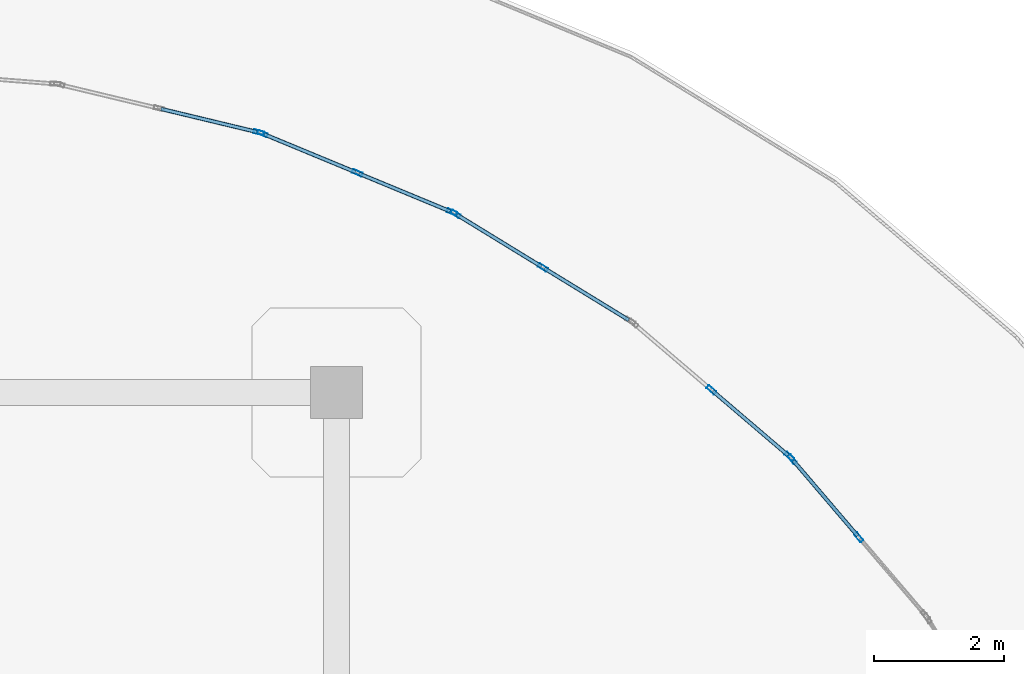
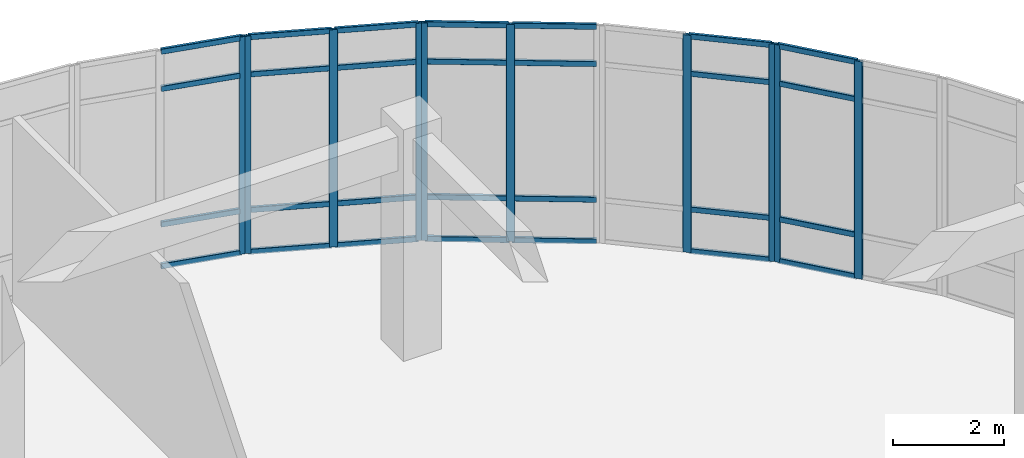
# One storey, part 89 of 124: 38 members, 5 elements without a shape of their own.
"""IFC4 building model written with IfcOpenShell, lengths in metres."""

from ifc_helpers import new_model, si_unit, derived_unit, direction, frame, origin, origin_2d, place, context, subcontext, project, spatial, hollow_rectangle, extrude, material, layer, layer_set, material_profile, profile_set, type_object, element, aggregate, save


model = new_model("IFC4")

# Units and contexts
model_context = context("Model", 3, precision=1e-05, world=origin(), true_north=direction((0.0, 1.0)))
body_context = subcontext(model_context, "Body", "Model", "MODEL_VIEW")
ifc_project = project(units=[si_unit("LENGTHUNIT", "METRE"), si_unit("AREAUNIT", "SQUARE_METRE"), si_unit("VOLUMEUNIT", "CUBIC_METRE"), si_unit("PLANEANGLEUNIT", "RADIAN"), si_unit("MASSUNIT", "GRAM", prefix="KILO"), derived_unit("THERMALTRANSMITTANCEUNIT", [(si_unit("MASSUNIT", "GRAM", prefix="KILO"), 1), (si_unit("TIMEUNIT", "SECOND"), -3), (si_unit("THERMODYNAMICTEMPERATUREUNIT", "KELVIN"), -1)])], contexts=[model_context])

# Site, building, storey
site_placement = place(None, origin())
site = spatial("IfcSite", under=ifc_project, at=site_placement, CompositionType="ELEMENT")
building_placement = place(site_placement, origin())
building = spatial("IfcBuilding", under=site, at=building_placement, Name="Qinzheling Arcade Emporium", CompositionType="ELEMENT")
storey_placement = place(building_placement, frame((0.0, 0.0, 16.5)))
storey = spatial("IfcBuildingStorey", under=building, at=storey_placement, Name="L04", CompositionType="ELEMENT", Elevation=16.5)

# Curtain wall, member
ifc_material_1 = material(Name="Anodised aluminium and solar-control double glazing", Category="aluminium")
ifc_layer = layer(ifc_material_1, 0.159912109375, Name="Anodised aluminium and solar-control double glazing", Category="aluminium")
ifc_layer_set = layer_set([ifc_layer], Name="Anodised aluminium and solar-control double glazing")
curtain_wall_type = type_object("IfcCurtainWallType", Name="Curved Ribbon Sales Curtain Wall", PredefinedType="NOTDEFINED", material=ifc_layer_set)
curtain_wall_1_placement = place(storey_placement, origin())
curtain_wall_1 = element("IfcCurtainWall", 1, at=curtain_wall_1_placement, inside=storey, type_object=curtain_wall_type, Name="Curtain Wall CW-L04-265", PredefinedType="NOTDEFINED")
ifc_material_2 = material(Name="Anodised aluminium 6063-T6", Category="aluminium")
ifc_material_profile_1 = material_profile(ifc_material_2, hollow_rectangle(XDim=0.06005859375, YDim=0.159912109375, WallThickness=0.00390625, InnerFilletRadius=0.00390625, OuterFilletRadius=0.008056640625, at=origin_2d()), Name="RHS 160x60x4", Category="aluminium")
ifc_profile_set_1 = profile_set([ifc_material_profile_1], Name="Anodised aluminium 6063-T6")
member_type_1 = type_object("IfcMemberType", Name="Curtain Wall Mullion RHS160x60", PredefinedType="MULLION", material=ifc_profile_set_1)
member_1_placement = place(storey_placement, frame((129.305908203125, 110.803955078125, 0.0), z_axis=(0.0, 0.0, 1.0), x_axis=(0.233455251725, 0.972367546477, 0.0)))
member_1 = element("IfcMember", 2, at=member_1_placement, type_object=member_type_1, Name="CW02 mullion 3", PredefinedType="MULLION", context=body_context, shape_type="SweptSolid", body=[
    extrude(hollow_rectangle(XDim=0.06005859375, YDim=0.159912109375, WallThickness=0.00390625, InnerFilletRadius=0.00390625, OuterFilletRadius=0.008056640625, at=origin_2d()), origin(), (0.0, 0.0, 1.0), 4.7900390625),
])

# Curtain wall, members
curtain_wall_2_placement = place(storey_placement, origin())
curtain_wall_2 = element("IfcCurtainWall", 3, at=curtain_wall_2_placement, inside=storey, type_object=curtain_wall_type, Name="Curtain Wall CW-L04-266", PredefinedType="NOTDEFINED")
member_2_placement = place(storey_placement, frame((129.36279296875, 110.785400390625, 0.0), z_axis=(0.0, 0.0, 1.0), x_axis=(0.38267210045, 0.923884226263, 0.0)))
member_2 = element("IfcMember", 4, at=member_2_placement, type_object=member_type_1, Name="CW02 mullion 1", PredefinedType="MULLION", context=body_context, shape_type="SweptSolid", body=[
    extrude(hollow_rectangle(XDim=0.06005859375, YDim=0.159912109375, WallThickness=0.00390625, InnerFilletRadius=0.00390625, OuterFilletRadius=0.008056640625, at=origin_2d()), origin(), (0.0, 0.0, 1.0), 4.7900390625),
])
member_3_placement = place(storey_placement, frame((130.821044921875, 110.181396484375, 0.0), z_axis=(0.0, 0.0, 1.0), x_axis=(0.38267210045, 0.923884226263, 0.0)))
member_3 = element("IfcMember", 5, at=member_3_placement, type_object=member_type_1, Name="CW02 mullion 2", PredefinedType="MULLION", context=body_context, shape_type="SweptSolid", body=[
    extrude(hollow_rectangle(XDim=0.06005859375, YDim=0.159912109375, WallThickness=0.00390625, InnerFilletRadius=0.00390625, OuterFilletRadius=0.008056640625, at=origin_2d()), origin(), (0.0, 0.0, 1.0), 4.7900390625),
])
member_4_placement = place(storey_placement, frame((132.279296875, 109.577392578125, 0.0), z_axis=(0.0, 0.0, 1.0), x_axis=(0.38267210045, 0.923884226263, 0.0)))
member_4 = element("IfcMember", 6, at=member_4_placement, type_object=member_type_1, Name="CW02 mullion 3", PredefinedType="MULLION", context=body_context, shape_type="SweptSolid", body=[
    extrude(hollow_rectangle(XDim=0.06005859375, YDim=0.159912109375, WallThickness=0.00390625, InnerFilletRadius=0.00390625, OuterFilletRadius=0.008056640625, at=origin_2d()), origin(), (0.0, 0.0, 1.0), 4.7900390625),
])

curtain_wall_3_placement = place(storey_placement, origin())
curtain_wall_3 = element("IfcCurtainWall", 7, at=curtain_wall_3_placement, inside=storey, type_object=curtain_wall_type, Name="Curtain Wall CW-L04-267", PredefinedType="NOTDEFINED")
member_5_placement = place(storey_placement, frame((132.33251953125, 109.55029296875, 0.0), z_axis=(0.0, 0.0, 1.0), x_axis=(0.522518323638, 0.852628055756, 0.0)))
member_5 = element("IfcMember", 8, at=member_5_placement, type_object=member_type_1, Name="CW02 mullion 1", PredefinedType="MULLION", context=body_context, shape_type="SweptSolid", body=[
    extrude(hollow_rectangle(XDim=0.06005859375, YDim=0.159912109375, WallThickness=0.00390625, InnerFilletRadius=0.00390625, OuterFilletRadius=0.008056640625, at=origin_2d()), origin(), (0.0, 0.0, 1.0), 4.7900390625),
])
member_6_placement = place(storey_placement, frame((133.678466796875, 108.7255859375, 0.0), z_axis=(0.0, 0.0, 1.0), x_axis=(0.522518323638, 0.852628055756, 0.0)))
member_6 = element("IfcMember", 9, at=member_6_placement, type_object=member_type_1, Name="CW02 mullion 2", PredefinedType="MULLION", context=body_context, shape_type="SweptSolid", body=[
    extrude(hollow_rectangle(XDim=0.06005859375, YDim=0.159912109375, WallThickness=0.00390625, InnerFilletRadius=0.00390625, OuterFilletRadius=0.008056640625, at=origin_2d()), origin(), (0.0, 0.0, 1.0), 4.7900390625),
])

curtain_wall_4_placement = place(storey_placement, origin())
curtain_wall_4 = element("IfcCurtainWall", 10, at=curtain_wall_4_placement, inside=storey, type_object=curtain_wall_type, Name="Curtain Wall CW-L04-268", PredefinedType="NOTDEFINED")
member_7_placement = place(storey_placement, frame((136.27294921875, 106.840576171875, 0.0), z_axis=(0.0, 0.0, 1.0), x_axis=(0.64943342373, 0.760418455945, 0.0)))
member_7 = element("IfcMember", 11, at=member_7_placement, type_object=member_type_1, Name="CW02 mullion 2", PredefinedType="MULLION", context=body_context, shape_type="SweptSolid", body=[
    extrude(hollow_rectangle(XDim=0.06005859375, YDim=0.159912109375, WallThickness=0.00390625, InnerFilletRadius=0.00390625, OuterFilletRadius=0.008056640625, at=origin_2d()), origin(), (0.0, 0.0, 1.0), 4.7900390625),
])
member_8_placement = place(storey_placement, frame((137.47314453125, 105.8154296875, 0.0), z_axis=(0.0, 0.0, 1.0), x_axis=(0.64943342373, 0.760418455945, 0.0)))
member_8 = element("IfcMember", 12, at=member_8_placement, type_object=member_type_1, Name="CW02 mullion 3", PredefinedType="MULLION", context=body_context, shape_type="SweptSolid", body=[
    extrude(hollow_rectangle(XDim=0.06005859375, YDim=0.159912109375, WallThickness=0.00390625, InnerFilletRadius=0.00390625, OuterFilletRadius=0.008056640625, at=origin_2d()), origin(), (0.0, 0.0, 1.0), 4.7900390625),
])

curtain_wall_5_placement = place(storey_placement, origin())
curtain_wall_5 = element("IfcCurtainWall", 13, at=curtain_wall_5_placement, inside=storey, type_object=curtain_wall_type, Name="Curtain Wall CW-L04-269", PredefinedType="NOTDEFINED")
member_9_placement = place(storey_placement, frame((137.515380859375, 105.773193359375, 0.0), z_axis=(0.0, 0.0, 1.0), x_axis=(0.760418455945, 0.64943342373, 0.0)))
member_9 = element("IfcMember", 14, at=member_9_placement, type_object=member_type_1, Name="CW02 mullion 1", PredefinedType="MULLION", context=body_context, shape_type="SweptSolid", body=[
    extrude(hollow_rectangle(XDim=0.06005859375, YDim=0.159912109375, WallThickness=0.00390625, InnerFilletRadius=0.00390625, OuterFilletRadius=0.008056640625, at=origin_2d()), origin(), (0.0, 0.0, 1.0), 4.7900390625),
])
member_10_placement = place(storey_placement, frame((138.54052734375, 104.572998046875, 0.0), z_axis=(0.0, 0.0, 1.0), x_axis=(0.760418455945, 0.64943342373, 0.0)))
member_10 = element("IfcMember", 15, at=member_10_placement, type_object=member_type_1, Name="CW02 mullion 2", PredefinedType="MULLION", context=body_context, shape_type="SweptSolid", body=[
    extrude(hollow_rectangle(XDim=0.06005859375, YDim=0.159912109375, WallThickness=0.00390625, InnerFilletRadius=0.00390625, OuterFilletRadius=0.008056640625, at=origin_2d()), origin(), (0.0, 0.0, 1.0), 4.7900390625),
])

# Member
ifc_material_profile_2 = material_profile(ifc_material_2, hollow_rectangle(XDim=0.06005859375, YDim=0.1201171875, WallThickness=0.00390625, InnerFilletRadius=0.00390625, OuterFilletRadius=0.008056640625, at=origin_2d()), Name="RHS 120x60x4", Category="aluminium")
ifc_profile_set_2 = profile_set([ifc_material_profile_2], Name="Anodised aluminium 6063-T6")
member_type_2 = type_object("IfcMemberType", Name="Curtain Wall Transom RHS120x60", PredefinedType="USERDEFINED", material=ifc_profile_set_2)
member_11_placement = place(storey_placement, frame((127.80029296875, 111.16552734375, 0.030029296875), z_axis=(0.972361022806, -0.233482421881, 0.0), x_axis=(0.233482421881, 0.972361022806, 0.0)))
member_11 = element("IfcMember", 16, at=member_11_placement, type_object=member_type_2, Name="CW02 transom 2.1", ObjectType="TRANSOM", PredefinedType="USERDEFINED", context=body_context, shape_type="SweptSolid", body=[
    extrude(hollow_rectangle(XDim=0.06005859375, YDim=0.1201171875, WallThickness=0.00390625, InnerFilletRadius=0.00390625, OuterFilletRadius=0.008056640625, at=origin_2d()), origin(), (0.0, 0.0, 1.0), 1.518310546875),
])

member_12_placement = place(storey_placement, frame((127.80029296875, 111.16552734375, 0.949951171875), z_axis=(0.972361022806, -0.233482421881, 0.0), x_axis=(0.233482421881, 0.972361022806, 0.0)))
member_12 = element("IfcMember", 17, at=member_12_placement, type_object=member_type_2, Name="CW02 transom 2.2", ObjectType="TRANSOM", PredefinedType="USERDEFINED", context=body_context, shape_type="SweptSolid", body=[
    extrude(hollow_rectangle(XDim=0.06005859375, YDim=0.1201171875, WallThickness=0.00390625, InnerFilletRadius=0.00390625, OuterFilletRadius=0.008056640625, at=origin_2d()), origin(), (0.0, 0.0, 1.0), 1.518310546875),
])

member_13_placement = place(storey_placement, frame((127.80029296875, 111.16552734375, 3.93994140625), z_axis=(0.972361022806, -0.233482421881, 0.0), x_axis=(0.233482421881, 0.972361022806, 0.0)))
member_13 = element("IfcMember", 18, at=member_13_placement, type_object=member_type_2, Name="CW02 transom 2.3", ObjectType="TRANSOM", PredefinedType="USERDEFINED", context=body_context, shape_type="SweptSolid", body=[
    extrude(hollow_rectangle(XDim=0.06005859375, YDim=0.1201171875, WallThickness=0.00390625, InnerFilletRadius=0.00390625, OuterFilletRadius=0.008056640625, at=origin_2d()), origin(), (0.0, 0.0, 1.0), 1.518310546875),
])

member_14_placement = place(storey_placement, frame((127.80029296875, 111.16552734375, 4.760009765625), z_axis=(0.972361022806, -0.233482421881, 0.0), x_axis=(0.233482421881, 0.972361022806, 0.0)))
member_14 = element("IfcMember", 19, at=member_14_placement, type_object=member_type_2, Name="CW02 transom 2.4", ObjectType="TRANSOM", PredefinedType="USERDEFINED", context=body_context, shape_type="SweptSolid", body=[
    extrude(hollow_rectangle(XDim=0.06005859375, YDim=0.1201171875, WallThickness=0.00390625, InnerFilletRadius=0.00390625, OuterFilletRadius=0.008056640625, at=origin_2d()), origin(), (0.0, 0.0, 1.0), 1.518310546875),
])

aggregate(curtain_wall_1, [member_1, member_11, member_12, member_13, member_14])

member_15_placement = place(storey_placement, frame((129.390380859375, 110.77392578125, 0.030029296875), z_axis=(0.923883575944, -0.382673670509, 0.0), x_axis=(0.382673670509, 0.923883575944, 0.0)))
member_15 = element("IfcMember", 20, at=member_15_placement, type_object=member_type_2, Name="CW02 transom 1.1", ObjectType="TRANSOM", PredefinedType="USERDEFINED", context=body_context, shape_type="SweptSolid", body=[
    extrude(hollow_rectangle(XDim=0.06005859375, YDim=0.1201171875, WallThickness=0.00390625, InnerFilletRadius=0.00390625, OuterFilletRadius=0.008056640625, at=origin_2d()), origin(), (0.0, 0.0, 1.0), 1.518310546875),
])

member_16_placement = place(storey_placement, frame((129.390380859375, 110.77392578125, 0.949951171875), z_axis=(0.923883575944, -0.382673670509, 0.0), x_axis=(0.382673670509, 0.923883575944, 0.0)))
member_16 = element("IfcMember", 21, at=member_16_placement, type_object=member_type_2, Name="CW02 transom 1.2", ObjectType="TRANSOM", PredefinedType="USERDEFINED", context=body_context, shape_type="SweptSolid", body=[
    extrude(hollow_rectangle(XDim=0.06005859375, YDim=0.1201171875, WallThickness=0.00390625, InnerFilletRadius=0.00390625, OuterFilletRadius=0.008056640625, at=origin_2d()), origin(), (0.0, 0.0, 1.0), 1.518310546875),
])

member_17_placement = place(storey_placement, frame((129.390380859375, 110.77392578125, 3.93994140625), z_axis=(0.923883575944, -0.382673670509, 0.0), x_axis=(0.382673670509, 0.923883575944, 0.0)))
member_17 = element("IfcMember", 22, at=member_17_placement, type_object=member_type_2, Name="CW02 transom 1.3", ObjectType="TRANSOM", PredefinedType="USERDEFINED", context=body_context, shape_type="SweptSolid", body=[
    extrude(hollow_rectangle(XDim=0.06005859375, YDim=0.1201171875, WallThickness=0.00390625, InnerFilletRadius=0.00390625, OuterFilletRadius=0.008056640625, at=origin_2d()), origin(), (0.0, 0.0, 1.0), 1.518310546875),
])

member_18_placement = place(storey_placement, frame((129.390380859375, 110.77392578125, 4.760009765625), z_axis=(0.923883575944, -0.382673670509, 0.0), x_axis=(0.382673670509, 0.923883575944, 0.0)))
member_18 = element("IfcMember", 23, at=member_18_placement, type_object=member_type_2, Name="CW02 transom 1.4", ObjectType="TRANSOM", PredefinedType="USERDEFINED", context=body_context, shape_type="SweptSolid", body=[
    extrude(hollow_rectangle(XDim=0.06005859375, YDim=0.1201171875, WallThickness=0.00390625, InnerFilletRadius=0.00390625, OuterFilletRadius=0.008056640625, at=origin_2d()), origin(), (0.0, 0.0, 1.0), 1.518310546875),
])

member_19_placement = place(storey_placement, frame((130.8486328125, 110.169921875, 0.030029296875), z_axis=(0.923883575944, -0.382673670509, 0.0), x_axis=(0.382673670509, 0.923883575944, 0.0)))
member_19 = element("IfcMember", 24, at=member_19_placement, type_object=member_type_2, Name="CW02 transom 2.1", ObjectType="TRANSOM", PredefinedType="USERDEFINED", context=body_context, shape_type="SweptSolid", body=[
    extrude(hollow_rectangle(XDim=0.06005859375, YDim=0.1201171875, WallThickness=0.00390625, InnerFilletRadius=0.00390625, OuterFilletRadius=0.008056640625, at=origin_2d()), origin(), (0.0, 0.0, 1.0), 1.518310546875),
])

member_20_placement = place(storey_placement, frame((130.8486328125, 110.169921875, 0.949951171875), z_axis=(0.923883575944, -0.382673670509, 0.0), x_axis=(0.382673670509, 0.923883575944, 0.0)))
member_20 = element("IfcMember", 25, at=member_20_placement, type_object=member_type_2, Name="CW02 transom 2.2", ObjectType="TRANSOM", PredefinedType="USERDEFINED", context=body_context, shape_type="SweptSolid", body=[
    extrude(hollow_rectangle(XDim=0.06005859375, YDim=0.1201171875, WallThickness=0.00390625, InnerFilletRadius=0.00390625, OuterFilletRadius=0.008056640625, at=origin_2d()), origin(), (0.0, 0.0, 1.0), 1.518310546875),
])

member_21_placement = place(storey_placement, frame((130.8486328125, 110.169921875, 3.93994140625), z_axis=(0.923883575944, -0.382673670509, 0.0), x_axis=(0.382673670509, 0.923883575944, 0.0)))
member_21 = element("IfcMember", 26, at=member_21_placement, type_object=member_type_2, Name="CW02 transom 2.3", ObjectType="TRANSOM", PredefinedType="USERDEFINED", context=body_context, shape_type="SweptSolid", body=[
    extrude(hollow_rectangle(XDim=0.06005859375, YDim=0.1201171875, WallThickness=0.00390625, InnerFilletRadius=0.00390625, OuterFilletRadius=0.008056640625, at=origin_2d()), origin(), (0.0, 0.0, 1.0), 1.518310546875),
])

member_22_placement = place(storey_placement, frame((130.8486328125, 110.169921875, 4.760009765625), z_axis=(0.923883575944, -0.382673670509, 0.0), x_axis=(0.382673670509, 0.923883575944, 0.0)))
member_22 = element("IfcMember", 27, at=member_22_placement, type_object=member_type_2, Name="CW02 transom 2.4", ObjectType="TRANSOM", PredefinedType="USERDEFINED", context=body_context, shape_type="SweptSolid", body=[
    extrude(hollow_rectangle(XDim=0.06005859375, YDim=0.1201171875, WallThickness=0.00390625, InnerFilletRadius=0.00390625, OuterFilletRadius=0.008056640625, at=origin_2d()), origin(), (0.0, 0.0, 1.0), 1.518310546875),
])

aggregate(curtain_wall_2, [member_2, member_3, member_4, member_15, member_16, member_17, member_18, member_19, member_20, member_21, member_22])

member_23_placement = place(storey_placement, frame((132.358154296875, 109.53466796875, 0.030029296875), z_axis=(0.852617427318, -0.522535666374, 0.0), x_axis=(0.522535666374, 0.852617427318, 0.0)))
member_23 = element("IfcMember", 28, at=member_23_placement, type_object=member_type_2, Name="CW02 transom 1.1", ObjectType="TRANSOM", PredefinedType="USERDEFINED", context=body_context, shape_type="SweptSolid", body=[
    extrude(hollow_rectangle(XDim=0.06005859375, YDim=0.1201171875, WallThickness=0.00390625, InnerFilletRadius=0.00390625, OuterFilletRadius=0.008056640625, at=origin_2d()), origin(), (0.0, 0.0, 1.0), 1.5185546875),
])

member_24_placement = place(storey_placement, frame((132.358154296875, 109.53466796875, 0.949951171875), z_axis=(0.852617427318, -0.522535666374, 0.0), x_axis=(0.522535666374, 0.852617427318, 0.0)))
member_24 = element("IfcMember", 29, at=member_24_placement, type_object=member_type_2, Name="CW02 transom 1.2", ObjectType="TRANSOM", PredefinedType="USERDEFINED", context=body_context, shape_type="SweptSolid", body=[
    extrude(hollow_rectangle(XDim=0.06005859375, YDim=0.1201171875, WallThickness=0.00390625, InnerFilletRadius=0.00390625, OuterFilletRadius=0.008056640625, at=origin_2d()), origin(), (0.0, 0.0, 1.0), 1.5185546875),
])

member_25_placement = place(storey_placement, frame((132.358154296875, 109.53466796875, 3.93994140625), z_axis=(0.852617427318, -0.522535666374, 0.0), x_axis=(0.522535666374, 0.852617427318, 0.0)))
member_25 = element("IfcMember", 30, at=member_25_placement, type_object=member_type_2, Name="CW02 transom 1.3", ObjectType="TRANSOM", PredefinedType="USERDEFINED", context=body_context, shape_type="SweptSolid", body=[
    extrude(hollow_rectangle(XDim=0.06005859375, YDim=0.1201171875, WallThickness=0.00390625, InnerFilletRadius=0.00390625, OuterFilletRadius=0.008056640625, at=origin_2d()), origin(), (0.0, 0.0, 1.0), 1.5185546875),
])

member_26_placement = place(storey_placement, frame((132.358154296875, 109.53466796875, 4.760009765625), z_axis=(0.852617427318, -0.522535666374, 0.0), x_axis=(0.522535666374, 0.852617427318, 0.0)))
member_26 = element("IfcMember", 31, at=member_26_placement, type_object=member_type_2, Name="CW02 transom 1.4", ObjectType="TRANSOM", PredefinedType="USERDEFINED", context=body_context, shape_type="SweptSolid", body=[
    extrude(hollow_rectangle(XDim=0.06005859375, YDim=0.1201171875, WallThickness=0.00390625, InnerFilletRadius=0.00390625, OuterFilletRadius=0.008056640625, at=origin_2d()), origin(), (0.0, 0.0, 1.0), 1.5185546875),
])

member_27_placement = place(storey_placement, frame((133.7041015625, 108.709716796875, 0.030029296875), z_axis=(0.852617427318, -0.522535666374, 0.0), x_axis=(0.522535666374, 0.852617427318, 0.0)))
member_27 = element("IfcMember", 32, at=member_27_placement, type_object=member_type_2, Name="CW02 transom 2.1", ObjectType="TRANSOM", PredefinedType="USERDEFINED", context=body_context, shape_type="SweptSolid", body=[
    extrude(hollow_rectangle(XDim=0.06005859375, YDim=0.1201171875, WallThickness=0.00390625, InnerFilletRadius=0.00390625, OuterFilletRadius=0.008056640625, at=origin_2d()), origin(), (0.0, 0.0, 1.0), 1.5185546875),
])

member_28_placement = place(storey_placement, frame((133.7041015625, 108.709716796875, 0.949951171875), z_axis=(0.852617427318, -0.522535666374, 0.0), x_axis=(0.522535666374, 0.852617427318, 0.0)))
member_28 = element("IfcMember", 33, at=member_28_placement, type_object=member_type_2, Name="CW02 transom 2.2", ObjectType="TRANSOM", PredefinedType="USERDEFINED", context=body_context, shape_type="SweptSolid", body=[
    extrude(hollow_rectangle(XDim=0.06005859375, YDim=0.1201171875, WallThickness=0.00390625, InnerFilletRadius=0.00390625, OuterFilletRadius=0.008056640625, at=origin_2d()), origin(), (0.0, 0.0, 1.0), 1.5185546875),
])

member_29_placement = place(storey_placement, frame((133.7041015625, 108.709716796875, 3.93994140625), z_axis=(0.852617427318, -0.522535666374, 0.0), x_axis=(0.522535666374, 0.852617427318, 0.0)))
member_29 = element("IfcMember", 34, at=member_29_placement, type_object=member_type_2, Name="CW02 transom 2.3", ObjectType="TRANSOM", PredefinedType="USERDEFINED", context=body_context, shape_type="SweptSolid", body=[
    extrude(hollow_rectangle(XDim=0.06005859375, YDim=0.1201171875, WallThickness=0.00390625, InnerFilletRadius=0.00390625, OuterFilletRadius=0.008056640625, at=origin_2d()), origin(), (0.0, 0.0, 1.0), 1.5185546875),
])

member_30_placement = place(storey_placement, frame((133.7041015625, 108.709716796875, 4.760009765625), z_axis=(0.852617427318, -0.522535666374, 0.0), x_axis=(0.522535666374, 0.852617427318, 0.0)))
member_30 = element("IfcMember", 35, at=member_30_placement, type_object=member_type_2, Name="CW02 transom 2.4", ObjectType="TRANSOM", PredefinedType="USERDEFINED", context=body_context, shape_type="SweptSolid", body=[
    extrude(hollow_rectangle(XDim=0.06005859375, YDim=0.1201171875, WallThickness=0.00390625, InnerFilletRadius=0.00390625, OuterFilletRadius=0.008056640625, at=origin_2d()), origin(), (0.0, 0.0, 1.0), 1.5185546875),
])

aggregate(curtain_wall_3, [member_5, member_6, member_23, member_24, member_25, member_26, member_27, member_28, member_29, member_30])

member_31_placement = place(storey_placement, frame((136.2958984375, 106.821044921875, 0.030029296875), z_axis=(0.760401801557, -0.649452923766, 0.0), x_axis=(0.649452923766, 0.760401801557, 0.0)))
member_31 = element("IfcMember", 36, at=member_31_placement, type_object=member_type_2, Name="CW02 transom 2.1", ObjectType="TRANSOM", PredefinedType="USERDEFINED", context=body_context, shape_type="SweptSolid", body=[
    extrude(hollow_rectangle(XDim=0.06005859375, YDim=0.1201171875, WallThickness=0.00390625, InnerFilletRadius=0.00390625, OuterFilletRadius=0.008056640625, at=origin_2d()), origin(), (0.0, 0.0, 1.0), 1.518310546875),
])

member_32_placement = place(storey_placement, frame((136.2958984375, 106.821044921875, 0.949951171875), z_axis=(0.760401801557, -0.649452923766, 0.0), x_axis=(0.649452923766, 0.760401801557, 0.0)))
member_32 = element("IfcMember", 37, at=member_32_placement, type_object=member_type_2, Name="CW02 transom 2.2", ObjectType="TRANSOM", PredefinedType="USERDEFINED", context=body_context, shape_type="SweptSolid", body=[
    extrude(hollow_rectangle(XDim=0.06005859375, YDim=0.1201171875, WallThickness=0.00390625, InnerFilletRadius=0.00390625, OuterFilletRadius=0.008056640625, at=origin_2d()), origin(), (0.0, 0.0, 1.0), 1.518310546875),
])

member_33_placement = place(storey_placement, frame((136.2958984375, 106.821044921875, 3.93994140625), z_axis=(0.760401801557, -0.649452923766, 0.0), x_axis=(0.649452923766, 0.760401801557, 0.0)))
member_33 = element("IfcMember", 38, at=member_33_placement, type_object=member_type_2, Name="CW02 transom 2.3", ObjectType="TRANSOM", PredefinedType="USERDEFINED", context=body_context, shape_type="SweptSolid", body=[
    extrude(hollow_rectangle(XDim=0.06005859375, YDim=0.1201171875, WallThickness=0.00390625, InnerFilletRadius=0.00390625, OuterFilletRadius=0.008056640625, at=origin_2d()), origin(), (0.0, 0.0, 1.0), 1.518310546875),
])

member_34_placement = place(storey_placement, frame((136.2958984375, 106.821044921875, 4.760009765625), z_axis=(0.760401801557, -0.649452923766, 0.0), x_axis=(0.649452923766, 0.760401801557, 0.0)))
member_34 = element("IfcMember", 39, at=member_34_placement, type_object=member_type_2, Name="CW02 transom 2.4", ObjectType="TRANSOM", PredefinedType="USERDEFINED", context=body_context, shape_type="SweptSolid", body=[
    extrude(hollow_rectangle(XDim=0.06005859375, YDim=0.1201171875, WallThickness=0.00390625, InnerFilletRadius=0.00390625, OuterFilletRadius=0.008056640625, at=origin_2d()), origin(), (0.0, 0.0, 1.0), 1.518310546875),
])

aggregate(curtain_wall_4, [member_7, member_8, member_31, member_32, member_33, member_34])

member_35_placement = place(storey_placement, frame((137.534912109375, 105.75048828125, 0.030029296875), z_axis=(0.649373521865, -0.760469610899, 0.0), x_axis=(0.760469610899, 0.649373521865, 0.0)))
member_35 = element("IfcMember", 40, at=member_35_placement, type_object=member_type_2, Name="CW02 transom 1.1", ObjectType="TRANSOM", PredefinedType="USERDEFINED", context=body_context, shape_type="SweptSolid", body=[
    extrude(hollow_rectangle(XDim=0.06005859375, YDim=0.1201171875, WallThickness=0.00390625, InnerFilletRadius=0.00390625, OuterFilletRadius=0.008056640625, at=origin_2d()), origin(), (0.0, 0.0, 1.0), 1.5185546875),
])

member_36_placement = place(storey_placement, frame((137.534912109375, 105.75048828125, 0.949951171875), z_axis=(0.649373521865, -0.760469610899, 0.0), x_axis=(0.760469610899, 0.649373521865, 0.0)))
member_36 = element("IfcMember", 41, at=member_36_placement, type_object=member_type_2, Name="CW02 transom 1.2", ObjectType="TRANSOM", PredefinedType="USERDEFINED", context=body_context, shape_type="SweptSolid", body=[
    extrude(hollow_rectangle(XDim=0.06005859375, YDim=0.1201171875, WallThickness=0.00390625, InnerFilletRadius=0.00390625, OuterFilletRadius=0.008056640625, at=origin_2d()), origin(), (0.0, 0.0, 1.0), 1.5185546875),
])

member_37_placement = place(storey_placement, frame((137.534912109375, 105.75048828125, 3.93994140625), z_axis=(0.649373521865, -0.760469610899, 0.0), x_axis=(0.760469610899, 0.649373521865, 0.0)))
member_37 = element("IfcMember", 42, at=member_37_placement, type_object=member_type_2, Name="CW02 transom 1.3", ObjectType="TRANSOM", PredefinedType="USERDEFINED", context=body_context, shape_type="SweptSolid", body=[
    extrude(hollow_rectangle(XDim=0.06005859375, YDim=0.1201171875, WallThickness=0.00390625, InnerFilletRadius=0.00390625, OuterFilletRadius=0.008056640625, at=origin_2d()), origin(), (0.0, 0.0, 1.0), 1.5185546875),
])

member_38_placement = place(storey_placement, frame((137.534912109375, 105.75048828125, 4.760009765625), z_axis=(0.649373521865, -0.760469610899, 0.0), x_axis=(0.760469610899, 0.649373521865, 0.0)))
member_38 = element("IfcMember", 43, at=member_38_placement, type_object=member_type_2, Name="CW02 transom 1.4", ObjectType="TRANSOM", PredefinedType="USERDEFINED", context=body_context, shape_type="SweptSolid", body=[
    extrude(hollow_rectangle(XDim=0.06005859375, YDim=0.1201171875, WallThickness=0.00390625, InnerFilletRadius=0.00390625, OuterFilletRadius=0.008056640625, at=origin_2d()), origin(), (0.0, 0.0, 1.0), 1.5185546875),
])

aggregate(curtain_wall_5, [member_9, member_10, member_35, member_36, member_37, member_38])

save(model, "model.ifc")
